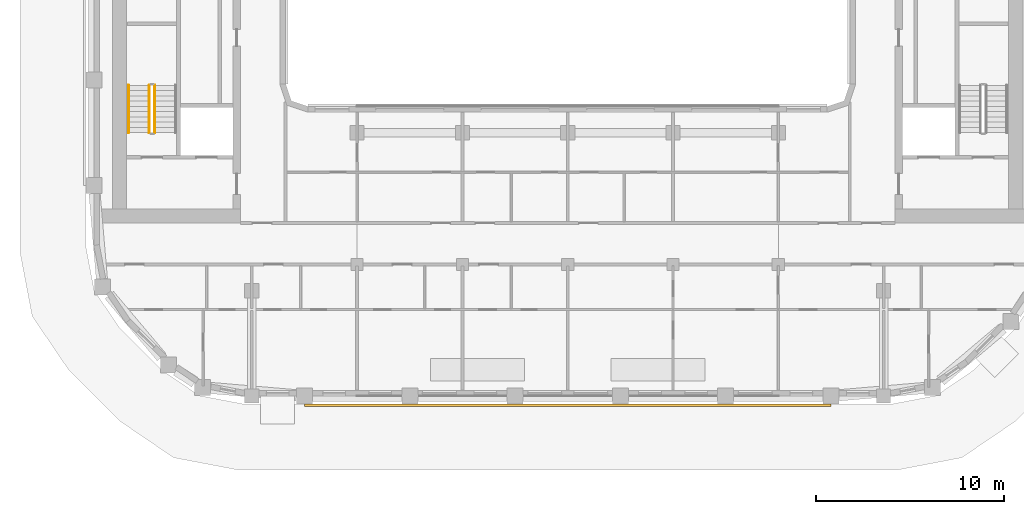
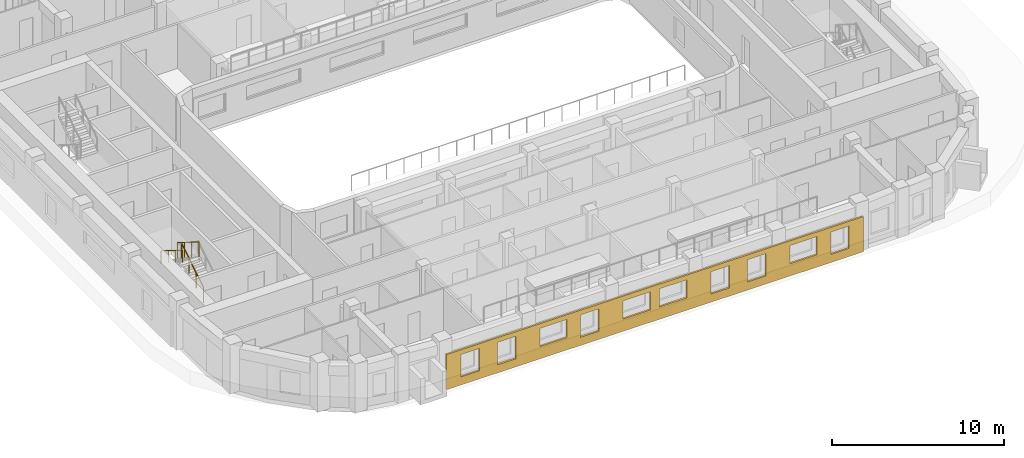
# One storey, part 11 of 16: 3 railings, 1 covering.
"""IFC4 building model written with IfcOpenShell, lengths in metres."""

from ifc_helpers import new_model, si_unit, direction, frame, origin, origin_2d, place, context, subcontext, project, spatial, polyline, circle, outline, extrude, material, layer, layer_set, type_object, element, save


model = new_model("IFC4")

# Units and contexts
model_context = context("Model", 3, precision=1e-05, world=origin(), true_north=direction((0.0, 1.0)))
body_context = subcontext(model_context, "Body", "Model", "MODEL_VIEW")
ifc_project = project(units=[si_unit("LENGTHUNIT", "METRE"), si_unit("AREAUNIT", "SQUARE_METRE"), si_unit("VOLUMEUNIT", "CUBIC_METRE"), si_unit("PLANEANGLEUNIT", "RADIAN"), si_unit("MASSUNIT", "GRAM", prefix="KILO")], contexts=[model_context])

# Site, building, storey
site_placement = place(None, origin())
site = spatial("IfcSite", under=ifc_project, at=site_placement, CompositionType="ELEMENT")
building_placement = place(site_placement, origin())
building = spatial("IfcBuilding", under=site, at=building_placement, Name="Kiln Ring Residences", CompositionType="ELEMENT")
storey_placement = place(building_placement, frame((0.0, 0.0, 227.39990234375)))
storey = spatial("IfcBuildingStorey", under=building, at=storey_placement, Name="L59", CompositionType="ELEMENT", Elevation=227.39990234375)

# Railings
ifc_material_1 = material(Name="Stainless steel", Category="steel")
railing_type_1 = type_object("IfcRailingType", Name="CORE-STAIR-GUARD", PredefinedType="GUARDRAIL", material=ifc_material_1)
railing_1_placement = place(storey_placement, frame((-21.949951171875, -8.39990234375, 0.175048828125)))
element("IfcRailing", 1, at=railing_1_placement, inside=storey, type_object=railing_type_1, Name="L59 W-STS stair guard 1", PredefinedType="GUARDRAIL", context=body_context, shape_type="SweptSolid", body=[
    extrude(circle(Radius=0.02392578125, at=origin_2d()), frame((0.0, 0.0, 1.076171875), z_axis=(0.0, 0.848007534815, 0.529984170421), x_axis=(-1.0, 0.0, 0.0)), (0.0, 0.0, 1.0), 2.9716796875),
    extrude(circle(Radius=0.02099609375, at=origin_2d()), origin(), (0.0, 0.0, 1.0), 1.052001953125),
    extrude(circle(Radius=0.02099609375, at=origin_2d()), frame((0.0, 0.840087890625, 0.52490234375)), (0.0, 0.0, 1.0), 1.052001953125),
    extrude(circle(Radius=0.02099609375, at=origin_2d()), frame((0.0, 1.679931640625, 1.050048828125)), (0.0, 0.0, 1.0), 1.052001953125),
    extrude(circle(Radius=0.02099609375, at=origin_2d()), frame((0.0, 2.52001953125, 1.574951171875)), (0.0, 0.0, 1.0), 1.052001953125),
])
railing_2_placement = place(storey_placement, frame((-22.25, -5.8798828125, 1.925048828125)))
element("IfcRailing", 2, at=railing_2_placement, inside=storey, type_object=railing_type_1, Name="L59 W-STS stair guard 3", PredefinedType="GUARDRAIL", context=body_context, shape_type="SweptSolid", body=[
    extrude(circle(Radius=0.02392578125, at=origin_2d()), frame((0.0, 0.0, 1.076171875), z_axis=(0.0, -0.848007534815, 0.529984170421), x_axis=(1.0, 0.0, 0.0)), (0.0, 0.0, 1.0), 2.9716796875),
    extrude(circle(Radius=0.02099609375, at=origin_2d()), origin(), (0.0, 0.0, 1.0), 1.052001953125),
    extrude(circle(Radius=0.02099609375, at=origin_2d()), frame((0.0, -0.840087890625, 0.52490234375)), (0.0, 0.0, 1.0), 1.052001953125),
    extrude(circle(Radius=0.02099609375, at=origin_2d()), frame((0.0, -1.679931640625, 1.050048828125)), (0.0, 0.0, 1.0), 1.052001953125),
    extrude(circle(Radius=0.02099609375, at=origin_2d()), frame((0.0, -2.52001953125, 1.574951171875)), (0.0, 0.0, 1.0), 1.052001953125),
])
ifc_material_2 = material(Name="Stainless steel", Category="steel")
railing_type_2 = type_object("IfcRailingType", Name="CORE-STAIR-HANDRAIL", PredefinedType="HANDRAIL", material=ifc_material_2)
railing_3_placement = place(storey_placement, frame((-23.35009765625, -5.8798828125, 1.925048828125)))
element("IfcRailing", 3, at=railing_3_placement, inside=storey, type_object=railing_type_2, Name="L59 W-STS stair handrail 2", PredefinedType="HANDRAIL", context=body_context, shape_type="SweptSolid", body=[
    extrude(circle(Radius=0.02392578125, at=origin_2d()), frame((0.0, 0.0, 0.8759765625), z_axis=(0.0, -0.848007534815, 0.529984170421), x_axis=(1.0, 0.0, 0.0)), (0.0, 0.0, 1.0), 2.9716796875),
    extrude(circle(Radius=0.02099609375, at=origin_2d()), origin(), (0.0, 0.0, 1.0), 0.851806640625),
    extrude(circle(Radius=0.02099609375, at=origin_2d()), frame((0.0, -0.840087890625, 0.52490234375)), (0.0, 0.0, 1.0), 0.851806640625),
    extrude(circle(Radius=0.02099609375, at=origin_2d()), frame((0.0, -1.679931640625, 1.050048828125)), (0.0, 0.0, 1.0), 0.851806640625),
    extrude(circle(Radius=0.02099609375, at=origin_2d()), frame((0.0, -2.52001953125, 1.574951171875)), (0.0, 0.0, 1.0), 0.851806640625),
])

# Covering
ifc_material_3 = material(Name="Brick masonry, dark clay brick", Category="masonry")
ifc_layer = layer(ifc_material_3, 0.1201171875)
ifc_layer_set = layer_set([ifc_layer], Name="RAINSCREEN PANEL 120")
covering_type = type_object("IfcCoveringType", Name="RAINSCREEN PANEL 120", PredefinedType="CLADDING", material=ifc_layer_set)
covering_placement = place(storey_placement, frame((-14.0, -22.885009765625, 0.0), z_axis=(0.0, 0.0, 1.0), x_axis=(1.0, 0.0, 0.0)))
element("IfcCovering", 4, at=covering_placement, inside=storey, type_object=covering_type, Name="RAINSCREEN L59", PredefinedType="CLADDING", context=body_context, shape_type="SweptSolid", body=[
    extrude(outline(polyline([(0.0, 0.0), (28.0, 0.0), (28.0, 2.5), (0.0, 2.5), (0.0, 0.0)]), holes=[polyline([(0.955078125, 0.580078125), (2.195068359375, 0.580078125), (2.195068359375, 2.170166015625), (0.955078125, 2.170166015625), (0.955078125, 0.580078125)]), polyline([(3.405029296875, 0.580078125), (4.64501953125, 0.580078125), (4.64501953125, 2.170166015625), (3.405029296875, 2.170166015625), (3.405029296875, 0.580078125)]), polyline([(9.0048828125, 0.580078125), (10.2451171875, 0.580078125), (10.2451171875, 2.170166015625), (9.0048828125, 2.170166015625), (9.0048828125, 0.580078125)]), polyline([(17.7548828125, 2.170166015625), (17.7548828125, 0.580078125), (18.9951171875, 0.580078125), (18.9951171875, 2.170166015625), (17.7548828125, 2.170166015625)]), polyline([(20.205078125, 2.170166015625), (20.205078125, 0.580078125), (21.445068359375, 0.580078125), (21.445068359375, 2.170166015625), (20.205078125, 2.170166015625)]), polyline([(25.804931640625, 0.580078125), (27.044921875, 0.580078125), (27.044921875, 2.170166015625), (25.804931640625, 2.170166015625), (25.804931640625, 0.580078125)]), polyline([(6.2548828125, 0.880126953125), (8.094970703125, 0.880126953125), (8.094970703125, 2.170166015625), (6.2548828125, 2.170166015625), (6.2548828125, 0.880126953125)]), polyline([(11.85498046875, 0.880126953125), (13.695068359375, 0.880126953125), (13.695068359375, 2.170166015625), (11.85498046875, 2.170166015625), (11.85498046875, 0.880126953125)]), polyline([(14.304931640625, 2.170166015625), (14.304931640625, 0.880126953125), (16.14501953125, 0.880126953125), (16.14501953125, 2.170166015625), (14.304931640625, 2.170166015625)]), polyline([(23.054931640625, 2.170166015625), (23.054931640625, 0.880126953125), (24.89501953125, 0.880126953125), (24.89501953125, 2.170166015625), (23.054931640625, 2.170166015625)])]), frame((0.0, 0.06005859375, 0.0), z_axis=(0.0, -1.0, 0.0), x_axis=(1.0, 0.0, 0.0)), (0.0, 0.0, 1.0), 0.1201171875),
])

save(model, "model.ifc")
